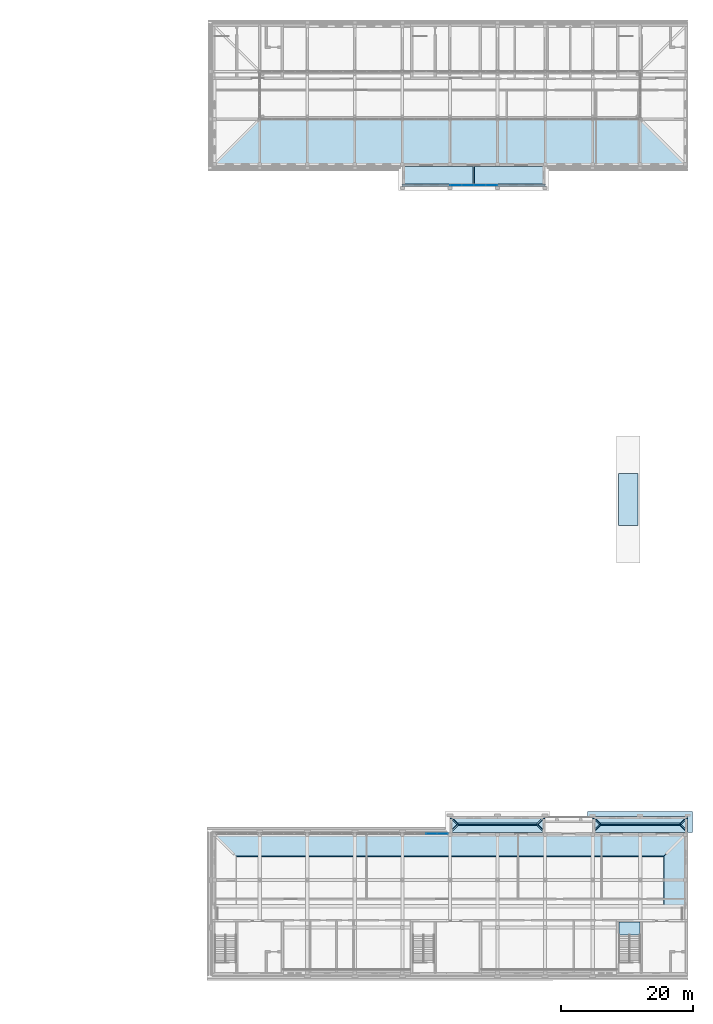
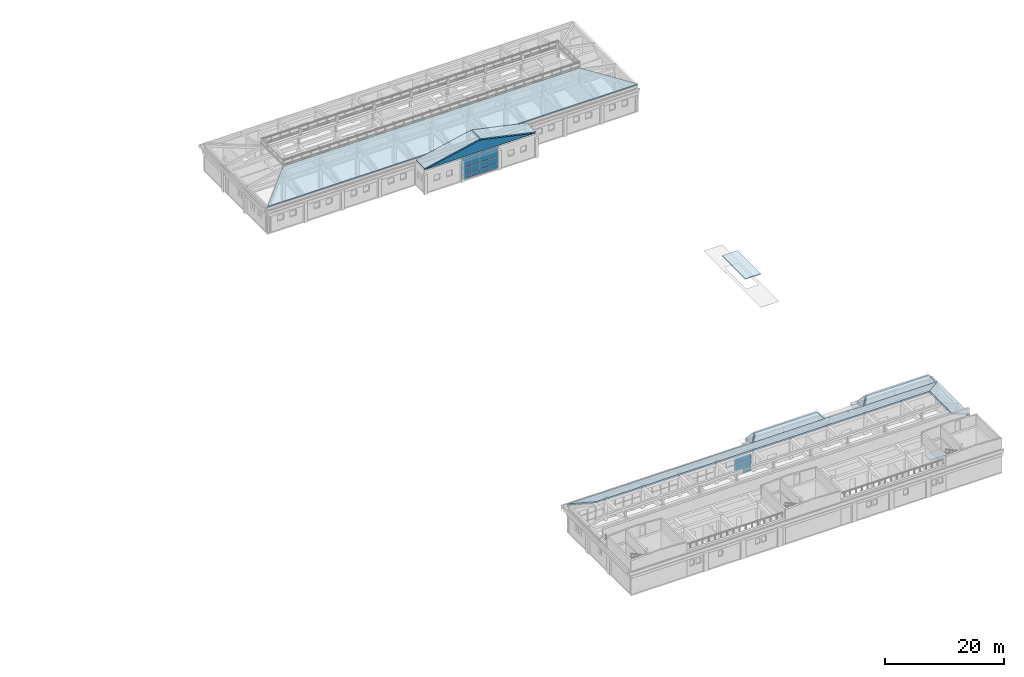
# One storey, part 26 of 48: 17 plates, 17 slabs, 3 elements without a shape of their own.
"""IFC4 building model written with IfcOpenShell, lengths in metres."""

from ifc_helpers import new_model, si_unit, direction, frame, origin, origin_2d, place, context, subcontext, project, spatial, polyline, rectangle, outline, extrude, material, layer, layer_set, type_object, element, aggregate, save


model = new_model("IFC4")

# Units and contexts
model_context = context("Model", 3, precision=1e-05, world=origin(), true_north=direction((0.0, 1.0)))
body_context = subcontext(model_context, "Body", "Model", "MODEL_VIEW")
ifc_project = project(units=[si_unit("LENGTHUNIT", "METRE"), si_unit("AREAUNIT", "SQUARE_METRE"), si_unit("VOLUMEUNIT", "CUBIC_METRE"), si_unit("PLANEANGLEUNIT", "RADIAN"), si_unit("MASSUNIT", "GRAM", prefix="KILO")], contexts=[model_context])

# Site, building, storey
site_placement = place(None, origin())
site = spatial("IfcSite", under=ifc_project, at=site_placement, CompositionType="ELEMENT")
building_placement = place(site_placement, origin())
building = spatial("IfcBuilding", under=site, at=building_placement, Name="Alderwick Market Hall", CompositionType="ELEMENT")
storey_placement = place(building_placement, frame((0.0, 0.0, 14.39990234375)))
storey = spatial("IfcBuildingStorey", under=building, at=storey_placement, Name="L02", CompositionType="ELEMENT", Elevation=14.39990234375)

# Slab
ifc_material_1 = material(Name="Concrete 5000 psi (f'c 35 MPa)", Category="concrete")
ifc_layer_1 = layer(ifc_material_1, 0.60009765625)
ifc_layer_set_1 = layer_set([ifc_layer_1], Name="Concrete 5000 psi (f'c 35 MPa)")
slab_type_1 = type_object("IfcSlabType", Name="C Cornice Slab Precast Concrete 5000 psi 600", PredefinedType="ROOF", material=ifc_layer_set_1)
slab_1_placement = place(storey_placement, frame((0.0, 0.0, 3.900146484375)))
element("IfcSlab", 1, at=slab_1_placement, inside=storey, type_object=slab_type_1, Name="C.cornice.L02.02", PredefinedType="ROOF", context=body_context, shape_type="SweptSolid", body=[
    extrude(outline(polyline([(215.25, 31.199951171875), (216.0, 31.199951171875), (230.39990234375, 31.199951171875), (230.39990234375, 28.800048828125), (231.14990234375, 28.800048828125), (231.14990234375, 31.949951171875), (215.25, 31.949951171875), (215.25, 31.199951171875)])), origin(), (0.0, 0.0, 1.0), 0.599853515625),
])

# Curtain wall, plates
ifc_material_2 = material(Name="C Curtain Wall 1800 module")
curtain_wall_type_1 = type_object("IfcCurtainWallType", Name="C Curtain Wall 1800 module", PredefinedType="NOTDEFINED", material=ifc_material_2)
curtain_wall_1_placement = place(storey_placement, origin())
curtain_wall_1 = element("IfcCurtainWall", 2, at=curtain_wall_1_placement, inside=storey, type_object=curtain_wall_type_1, Name="C.cw.L02.06", PredefinedType="NOTDEFINED")
ifc_material_3 = material(Name="Laminated glass 28 mm", Category="glass")
ifc_layer_2 = layer(ifc_material_3, 0.028076171875)
ifc_layer_set_2 = layer_set([ifc_layer_2], Name="Laminated glass 28 mm")
plate_type_1 = type_object("IfcPlateType", Name="C Curtain Wall Glass Panel 28", PredefinedType="CURTAIN_PANEL", material=ifc_layer_set_2)
plate_1_placement = place(storey_placement, frame((191.63134765625, 28.60009765625, 1.0302734375), z_axis=(0.0, 0.0, 1.0), x_axis=(1.0, 0.0, 0.0)))
plate_1 = element("IfcPlate", 3, at=plate_1_placement, type_object=plate_type_1, Name="C-CW panel 3.2", PredefinedType="CURTAIN_PANEL", context=body_context, shape_type="SweptSolid", body=[
    extrude(rectangle(XDim=1.6025390625, YDim=0.028076171875, at=origin_2d()), origin(), (0.0, 0.0, 1.0), 1.340087890625),
])
plate_2_placement = place(storey_placement, frame((191.63134765625, 28.60009765625, 2.43017578125), z_axis=(0.0, 0.0, 1.0), x_axis=(1.0, 0.0, 0.0)))
plate_2 = element("IfcPlate", 4, at=plate_2_placement, type_object=plate_type_1, Name="C-CW panel 3.3", PredefinedType="CURTAIN_PANEL", context=body_context, shape_type="SweptSolid", body=[
    extrude(rectangle(XDim=1.6025390625, YDim=0.028076171875, at=origin_2d()), origin(), (0.0, 0.0, 1.0), 1.2099609375),
])
plate_3_placement = place(storey_placement, frame((193.27880859375, 28.60009765625, 0.06005859375), z_axis=(0.0, 0.0, 1.0), x_axis=(1.0, 0.0, 0.0)))
plate_3 = element("IfcPlate", 5, at=plate_3_placement, type_object=plate_type_1, Name="C-CW panel 4.1", PredefinedType="CURTAIN_PANEL", context=body_context, shape_type="SweptSolid", body=[
    extrude(rectangle(XDim=1.572509765625, YDim=0.028076171875, at=origin_2d()), origin(), (0.0, 0.0, 1.0), 0.909912109375),
])
plate_4_placement = place(storey_placement, frame((193.27880859375, 28.60009765625, 1.0302734375), z_axis=(0.0, 0.0, 1.0), x_axis=(1.0, 0.0, 0.0)))
plate_4 = element("IfcPlate", 6, at=plate_4_placement, type_object=plate_type_1, Name="C-CW panel 4.2", PredefinedType="CURTAIN_PANEL", context=body_context, shape_type="SweptSolid", body=[
    extrude(rectangle(XDim=1.572509765625, YDim=0.028076171875, at=origin_2d()), origin(), (0.0, 0.0, 1.0), 1.340087890625),
])
plate_5_placement = place(storey_placement, frame((193.27880859375, 28.60009765625, 2.43017578125), z_axis=(0.0, 0.0, 1.0), x_axis=(1.0, 0.0, 0.0)))
plate_5 = element("IfcPlate", 7, at=plate_5_placement, type_object=plate_type_1, Name="C-CW panel 4.3", PredefinedType="CURTAIN_PANEL", context=body_context, shape_type="SweptSolid", body=[
    extrude(rectangle(XDim=1.572509765625, YDim=0.028076171875, at=origin_2d()), origin(), (0.0, 0.0, 1.0), 1.2099609375),
])
aggregate(curtain_wall_1, [plate_1, plate_2, plate_3, plate_4, plate_5])

# Slabs
ifc_layer_3 = layer(ifc_material_1, 0.25)
ifc_layer_set_3 = layer_set([ifc_layer_3], Name="Concrete 5000 psi (f'c 35 MPa)")
slab_type_2 = type_object("IfcSlabType", Name="C Mansard Roof Slab Concrete 5000 psi 250", PredefinedType="ROOF", material=ifc_layer_set_3)
slab_2_placement = place(storey_placement, frame((158.39990234375, 28.800048828125, 5.51953125), z_axis=(0.0, 0.373591298385, 0.92759341404), x_axis=(1.0, 0.0, 0.0)))
element("IfcSlab", 8, at=slab_2_placement, inside=storey, type_object=slab_type_2, Name="C.roofslab.L02.front", PredefinedType="ROOF", context=body_context, shape_type="SweptSolid", body=[
    extrude(outline(polyline([(0.0, 0.0), (72.0, 0.0), (68.400146484375, -3.88111601673519), (3.60009765625, -3.88111601673519), (0.0, 0.0)])), origin(), (0.0, 0.0, -1.0), 0.25),
])
slab_3_placement = place(storey_placement, frame((230.39990234375, 28.800048828125, 5.51953125), z_axis=(0.373613098617, 0.0, 0.927584633627), x_axis=(0.0, -1.0, 0.0)))
element("IfcSlab", 9, at=slab_3_placement, inside=storey, type_object=slab_type_2, Name="C.roofslab.L02.east", PredefinedType="ROOF", context=body_context, shape_type="SweptSolid", body=[
    extrude(outline(polyline([(0.0, 0.0), (11.0, 0.0), (11.0, -3.8808895545711373), (3.60009765625, -3.8808895545711373), (0.0, 0.0)])), origin(), (0.0, 0.0, -1.0), 0.25),
])
ifc_layer_4 = layer(ifc_material_1, 0.25)
ifc_layer_set_4 = layer_set([ifc_layer_4], Name="Concrete 5000 psi (f'c 35 MPa)")
slab_type_3 = type_object("IfcSlabType", Name="C Pavilion Roof Slab Concrete 5000 psi 250", PredefinedType="ROOF", material=ifc_layer_set_4)
for number, where, z_axis, x_axis, name in (
    (10, (194.589599609375, 31.199951171875, 5.050048828125), (0.0, 0.824750821382, 0.56549631531), (1.0, 0.0, 0.0), "C.proof.L02.1.f"),
    (11, (208.6103515625, 28.800048828125, 5.050048828125), (0.0, -0.824750821382, 0.56549631531), (-1.0, 0.0, 0.0), "C.proof.L02.1.b"),
):
    element("IfcSlab", number, at=place(storey_placement, frame(where, z_axis=z_axis, x_axis=x_axis)), inside=storey, type_object=slab_type_3, Name=name, PredefinedType="ROOF", context=body_context, shape_type="SweptSolid", body=[
        extrude(outline(polyline([(0.0, 0.0), (14.020751953125, 0.0), (13.015869140625, -1.7769926793393633), (1.0048828125, -1.7769926793393633), (0.0, 0.0)])), origin(), (0.0, 0.0, -1.0), 0.25),
    ])
for number, where, z_axis, x_axis, name in (
    (12, (194.39990234375, 28.989501953125, 5.050048828125), (-0.824727031057, 0.0, 0.565531010859), (0.0, 1.0, 0.0), "C.proof.L02.1.w"),
    (13, (208.800048828125, 31.010498046875, 5.050048828125), (0.824727031057, 0.0, 0.565531010859), (0.0, -1.0, 0.0), "C.proof.L02.1.e"),
):
    element("IfcSlab", number, at=place(storey_placement, frame(where, z_axis=z_axis, x_axis=x_axis)), inside=storey, type_object=slab_type_3, Name=name, PredefinedType="ROOF", context=body_context, shape_type="SweptSolid", body=[
        extrude(outline(polyline([(0.0, 0.0), (2.02099609375, 0.0), (1.010498046875, -1.7868127962421945), (0.0, 0.0)])), origin(), (0.0, 0.0, -1.0), 0.25),
    ])
for number, where, z_axis, x_axis, name in (
    (14, (216.189697265625, 31.199951171875, 5.050048828125), (0.0, 0.824750821382, 0.56549631531), (1.0, 0.0, 0.0), "C.proof.L02.2.f"),
    (15, (230.21044921875, 28.800048828125, 5.050048828125), (0.0, -0.824750821382, 0.56549631531), (-1.0, 0.0, 0.0), "C.proof.L02.2.b"),
):
    element("IfcSlab", number, at=place(storey_placement, frame(where, z_axis=z_axis, x_axis=x_axis)), inside=storey, type_object=slab_type_3, Name=name, PredefinedType="ROOF", context=body_context, shape_type="SweptSolid", body=[
        extrude(outline(polyline([(0.0, 0.0), (14.020751953125, 0.0), (13.015869140625, -1.7769926793393633), (1.0048828125, -1.7769926793393633), (0.0, 0.0)])), origin(), (0.0, 0.0, -1.0), 0.25),
    ])
slab_4_placement = place(storey_placement, frame((216.0, 28.989501953125, 5.050048828125), z_axis=(-0.824727031057, 0.0, 0.565531010859), x_axis=(0.0, 1.0, 0.0)))
element("IfcSlab", 16, at=slab_4_placement, inside=storey, type_object=slab_type_3, Name="C.proof.L02.2.w", PredefinedType="ROOF", context=body_context, shape_type="SweptSolid", body=[
    extrude(outline(polyline([(0.0, 0.0), (2.02099609375, 0.0), (1.010498046875, -1.7868127962421945), (0.0, 0.0)])), origin(), (0.0, 0.0, -1.0), 0.25),
])
slab_5_placement = place(storey_placement, frame((230.39990234375, 31.010498046875, 5.050048828125), z_axis=(0.824790758357, 0.0, 0.565438064626), x_axis=(0.0, -1.0, 0.0)))
element("IfcSlab", 17, at=slab_5_placement, inside=storey, type_object=slab_type_3, Name="C.proof.L02.2.e", PredefinedType="ROOF", context=body_context, shape_type="SweptSolid", body=[
    extrude(outline(polyline([(0.0, 0.0), (2.02099609375, 0.0), (1.010498046875, -1.7866747384932837), (0.0, 0.0)])), origin(), (0.0, 0.0, -1.0), 0.25),
])

# Stair, slab
stair_type = type_object("IfcStairType", Name="C Exit Stair 1600", PredefinedType="HALF_TURN_STAIR", material=ifc_material_1)
stair_placement = place(storey_placement, origin())
stair = element("IfcStair", 18, at=stair_placement, inside=storey, type_object=stair_type, Name="C.stair.L02.C", PredefinedType="HALF_TURN_STAIR")
ifc_layer_5 = layer(ifc_material_1, 0.199951171875)
ifc_layer_set_5 = layer_set([ifc_layer_5], Name="Concrete 5000 psi (f'c 35 MPa)")
slab_type_4 = type_object("IfcSlabType", Name="C Stair Landing Concrete 5000 psi 200", PredefinedType="LANDING", material=ifc_layer_set_5)
slab_6_placement = place(storey_placement, frame((0.0, 0.0, 2.2001953125)))
slab_6 = element("IfcSlab", 19, at=slab_6_placement, type_object=slab_type_4, Name="C-ST-C-L02 landing 1", PredefinedType="LANDING", context=body_context, shape_type="SweptSolid", body=[
    extrude(outline(polyline([(220.0, 15.199951171875), (223.199951171875, 15.199951171875), (223.199951171875, 13.300048828125), (220.0, 13.300048828125), (220.0, 15.199951171875)])), origin(), (0.0, 0.0, 1.0), 0.199951171875),
])
aggregate(stair, [slab_6])

# Curtain wall, plates
ifc_material_4 = material(Name="F Curtain Wall 1800 module")
curtain_wall_type_2 = type_object("IfcCurtainWallType", Name="F Curtain Wall 1800 module", PredefinedType="NOTDEFINED", material=ifc_material_4)
curtain_wall_2_placement = place(storey_placement, origin())
curtain_wall_2 = element("IfcCurtainWall", 20, at=curtain_wall_2_placement, inside=storey, type_object=curtain_wall_type_2, Name="F.pcw.L02.1", PredefinedType="NOTDEFINED")
ifc_layer_6 = layer(ifc_material_3, 0.028076171875)
ifc_layer_set_6 = layer_set([ifc_layer_6], Name="Laminated glass 28 mm")
plate_type_2 = type_object("IfcPlateType", Name="F Curtain Wall Glass Panel 28", PredefinedType="CURTAIN_PANEL", material=ifc_layer_set_6)
plate_6_placement = place(storey_placement, frame((200.68505859375, 126.800048828125, 0.06005859375), z_axis=(0.0, 0.0, 1.0), x_axis=(-1.0, 0.0, 0.0)))
plate_6 = element("IfcPlate", 21, at=plate_6_placement, type_object=plate_type_2, Name="F-CW panel 1.1", PredefinedType="CURTAIN_PANEL", context=body_context, shape_type="SweptSolid", body=[
    extrude(rectangle(XDim=1.7099609375, YDim=0.028076171875, at=origin_2d()), origin(), (0.0, 0.0, 1.0), 0.909912109375),
])
plate_7_placement = place(storey_placement, frame((200.68505859375, 126.800048828125, 1.0302734375), z_axis=(0.0, 0.0, 1.0), x_axis=(-1.0, 0.0, 0.0)))
plate_7 = element("IfcPlate", 22, at=plate_7_placement, type_object=plate_type_2, Name="F-CW panel 1.2", PredefinedType="CURTAIN_PANEL", context=body_context, shape_type="SweptSolid", body=[
    extrude(rectangle(XDim=1.7099609375, YDim=0.028076171875, at=origin_2d()), origin(), (0.0, 0.0, 1.0), 1.340087890625),
])
plate_8_placement = place(storey_placement, frame((200.68505859375, 126.800048828125, 2.43017578125), z_axis=(0.0, 0.0, 1.0), x_axis=(-1.0, 0.0, 0.0)))
plate_8 = element("IfcPlate", 23, at=plate_8_placement, type_object=plate_type_2, Name="F-CW panel 1.3", PredefinedType="CURTAIN_PANEL", context=body_context, shape_type="SweptSolid", body=[
    extrude(rectangle(XDim=1.7099609375, YDim=0.028076171875, at=origin_2d()), origin(), (0.0, 0.0, 1.0), 2.06005859375),
])
plate_9_placement = place(storey_placement, frame((198.89990234375, 126.800048828125, 0.06005859375), z_axis=(0.0, 0.0, 1.0), x_axis=(-1.0, 0.0, 0.0)))
plate_9 = element("IfcPlate", 24, at=plate_9_placement, type_object=plate_type_2, Name="F-CW panel 2.1", PredefinedType="CURTAIN_PANEL", context=body_context, shape_type="SweptSolid", body=[
    extrude(rectangle(XDim=1.739990234375, YDim=0.028076171875, at=origin_2d()), origin(), (0.0, 0.0, 1.0), 0.909912109375),
])
plate_10_placement = place(storey_placement, frame((198.89990234375, 126.800048828125, 1.0302734375), z_axis=(0.0, 0.0, 1.0), x_axis=(-1.0, 0.0, 0.0)))
plate_10 = element("IfcPlate", 25, at=plate_10_placement, type_object=plate_type_2, Name="F-CW panel 2.2", PredefinedType="CURTAIN_PANEL", context=body_context, shape_type="SweptSolid", body=[
    extrude(rectangle(XDim=1.739990234375, YDim=0.028076171875, at=origin_2d()), origin(), (0.0, 0.0, 1.0), 1.340087890625),
])
plate_11_placement = place(storey_placement, frame((198.89990234375, 126.800048828125, 2.43017578125), z_axis=(0.0, 0.0, 1.0), x_axis=(-1.0, 0.0, 0.0)))
plate_11 = element("IfcPlate", 26, at=plate_11_placement, type_object=plate_type_2, Name="F-CW panel 2.3", PredefinedType="CURTAIN_PANEL", context=body_context, shape_type="SweptSolid", body=[
    extrude(rectangle(XDim=1.739990234375, YDim=0.028076171875, at=origin_2d()), origin(), (0.0, 0.0, 1.0), 2.06005859375),
])
plate_12_placement = place(storey_placement, frame((197.10009765625, 126.800048828125, 0.06005859375), z_axis=(0.0, 0.0, 1.0), x_axis=(-1.0, 0.0, 0.0)))
plate_12 = element("IfcPlate", 27, at=plate_12_placement, type_object=plate_type_2, Name="F-CW panel 3.1", PredefinedType="CURTAIN_PANEL", context=body_context, shape_type="SweptSolid", body=[
    extrude(rectangle(XDim=1.739990234375, YDim=0.028076171875, at=origin_2d()), origin(), (0.0, 0.0, 1.0), 0.909912109375),
])
plate_13_placement = place(storey_placement, frame((197.10009765625, 126.800048828125, 1.0302734375), z_axis=(0.0, 0.0, 1.0), x_axis=(-1.0, 0.0, 0.0)))
plate_13 = element("IfcPlate", 28, at=plate_13_placement, type_object=plate_type_2, Name="F-CW panel 3.2", PredefinedType="CURTAIN_PANEL", context=body_context, shape_type="SweptSolid", body=[
    extrude(rectangle(XDim=1.739990234375, YDim=0.028076171875, at=origin_2d()), origin(), (0.0, 0.0, 1.0), 1.340087890625),
])
plate_14_placement = place(storey_placement, frame((197.10009765625, 126.800048828125, 2.43017578125), z_axis=(0.0, 0.0, 1.0), x_axis=(-1.0, 0.0, 0.0)))
plate_14 = element("IfcPlate", 29, at=plate_14_placement, type_object=plate_type_2, Name="F-CW panel 3.3", PredefinedType="CURTAIN_PANEL", context=body_context, shape_type="SweptSolid", body=[
    extrude(rectangle(XDim=1.739990234375, YDim=0.028076171875, at=origin_2d()), origin(), (0.0, 0.0, 1.0), 2.06005859375),
])
plate_15_placement = place(storey_placement, frame((195.31494140625, 126.800048828125, 0.06005859375), z_axis=(0.0, 0.0, 1.0), x_axis=(-1.0, 0.0, 0.0)))
plate_15 = element("IfcPlate", 30, at=plate_15_placement, type_object=plate_type_2, Name="F-CW panel 4.1", PredefinedType="CURTAIN_PANEL", context=body_context, shape_type="SweptSolid", body=[
    extrude(rectangle(XDim=1.7099609375, YDim=0.028076171875, at=origin_2d()), origin(), (0.0, 0.0, 1.0), 0.909912109375),
])
plate_16_placement = place(storey_placement, frame((195.31494140625, 126.800048828125, 1.0302734375), z_axis=(0.0, 0.0, 1.0), x_axis=(-1.0, 0.0, 0.0)))
plate_16 = element("IfcPlate", 31, at=plate_16_placement, type_object=plate_type_2, Name="F-CW panel 4.2", PredefinedType="CURTAIN_PANEL", context=body_context, shape_type="SweptSolid", body=[
    extrude(rectangle(XDim=1.7099609375, YDim=0.028076171875, at=origin_2d()), origin(), (0.0, 0.0, 1.0), 1.340087890625),
])
plate_17_placement = place(storey_placement, frame((195.31494140625, 126.800048828125, 2.43017578125), z_axis=(0.0, 0.0, 1.0), x_axis=(-1.0, 0.0, 0.0)))
plate_17 = element("IfcPlate", 32, at=plate_17_placement, type_object=plate_type_2, Name="F-CW panel 4.3", PredefinedType="CURTAIN_PANEL", context=body_context, shape_type="SweptSolid", body=[
    extrude(rectangle(XDim=1.7099609375, YDim=0.028076171875, at=origin_2d()), origin(), (0.0, 0.0, 1.0), 2.06005859375),
])
aggregate(curtain_wall_2, [plate_6, plate_7, plate_8, plate_9, plate_10, plate_11, plate_12, plate_13, plate_14, plate_15, plate_16, plate_17])

# Slabs
ifc_layer_7 = layer(ifc_material_1, 0.25)
ifc_layer_set_7 = layer_set([ifc_layer_7], Name="Concrete 5000 psi (f'c 35 MPa)")
slab_type_5 = type_object("IfcSlabType", Name="F Mansard Roof Slab Concrete 5000 psi 250", PredefinedType="ROOF", material=ifc_layer_set_7)
slab_7_placement = place(storey_placement, frame((158.39990234375, 129.60009765625, 5.505126953125), z_axis=(0.0, -0.197420043229, 0.980318992232), x_axis=(1.0, 0.0, 0.0)))
element("IfcSlab", 33, at=slab_7_placement, inside=storey, type_object=slab_type_5, Name="F.roofslab.L02.south", PredefinedType="ROOF", context=body_context, shape_type="SweptSolid", body=[
    extrude(outline(polyline([(0.0, 0.0), (72.0, 0.0), (64.800048828125, 7.344498299966164), (7.2001953125, 7.344498299966164), (0.0, 0.0)])), origin(), (0.0, 0.0, -1.0), 0.25),
])
ifc_layer_8 = layer(ifc_material_1, 0.25)
ifc_layer_set_8 = layer_set([ifc_layer_8], Name="Concrete 5000 psi (f'c 35 MPa)")
slab_type_6 = type_object("IfcSlabType", Name="F Pavilion Roof Slab Concrete 5000 psi 250", PredefinedType="ROOF", material=ifc_layer_set_8)
for number, where, z_axis, x_axis, name in (
    (34, (187.199951171875, 126.60009765625, 5.055908203125), (-0.212118591891, 0.0, 0.977243932176), (0.0, 1.0, 0.0), "F.proof.L02.1.w"),
    (35, (208.800048828125, 129.60009765625, 5.055908203125), (0.212118591891, 0.0, 0.977243932176), (0.0, -1.0, 0.0), "F.proof.L02.1.e"),
):
    element("IfcSlab", number, at=place(storey_placement, frame(where, z_axis=z_axis, x_axis=x_axis)), inside=storey, type_object=slab_type_6, Name=name, PredefinedType="ROOF", context=body_context, shape_type="SweptSolid", body=[
        extrude(outline(polyline([(0.0, 0.0), (3.0, 0.0), (3.0, -10.949109858428342), (0.0, -10.949109858428342), (0.0, 0.0)])), origin(), (0.0, 0.0, -1.0), 0.25),
    ])
ifc_material_5 = material(Name="Cast stone 5000 psi", Category="masonry")
ifc_layer_9 = layer(ifc_material_5, 0.300048828125)
ifc_layer_set_9 = layer_set([ifc_layer_9], Name="Cast stone 5000 psi")
slab_type_7 = type_object("IfcSlabType", Name="F Pediment Cast Stone 300", PredefinedType="ROOF", material=ifc_layer_set_9)
slab_8_placement = place(storey_placement, frame((187.199951171875, 126.60009765625, 4.800048828125), z_axis=(0.0, -1.0, 0.0), x_axis=(1.0, 0.0, 0.0)))
element("IfcSlab", 36, at=slab_8_placement, inside=storey, type_object=slab_type_7, Name="F.pediment.L02.1", PredefinedType="ROOF", context=body_context, shape_type="SweptSolid", body=[
    extrude(outline(polyline([(0.0, 0.0), (21.60009765625, 0.0), (10.800048828125, 2.34423828125), (0.0, 0.0)])), origin(), (0.0, 0.0, -1.0), 0.300048828125),
])
ifc_layer_10 = layer(ifc_material_1, 0.199951171875)
ifc_layer_set_10 = layer_set([ifc_layer_10], Name="Concrete 5000 psi (f'c 35 MPa)")
slab_type_8 = type_object("IfcSlabType", Name="G Lantern roof 200", PredefinedType="ROOF", material=ifc_layer_set_10)
slab_9_placement = place(storey_placement, frame((0.0, 0.0, 1.92138671875)))
element("IfcSlab", 37, at=slab_9_placement, inside=storey, type_object=slab_type_8, Name="Lantern roof", PredefinedType="ROOF", context=body_context, shape_type="SweptSolid", body=[
    extrude(outline(polyline([(219.89990234375, 75.300048828125), (222.89990234375, 75.300048828125), (222.89990234375, 83.10009765625), (219.89990234375, 83.10009765625), (219.89990234375, 75.300048828125)])), origin(), (0.0, 0.0, 1.0), 0.199951171875),
])

save(model, "model.ifc")
